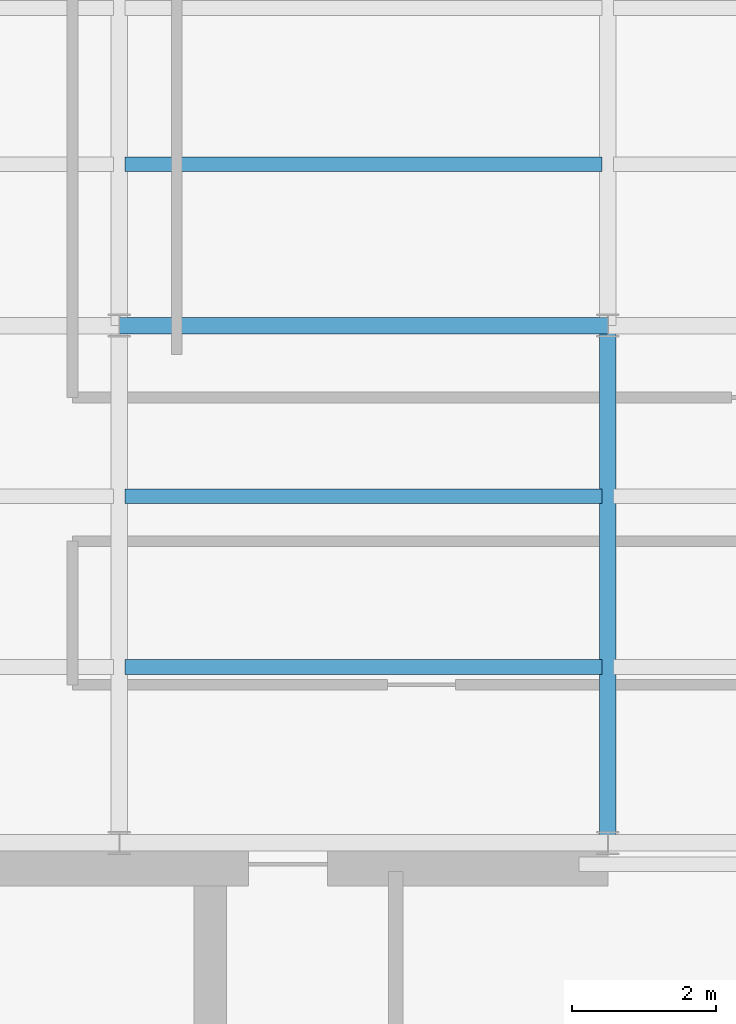
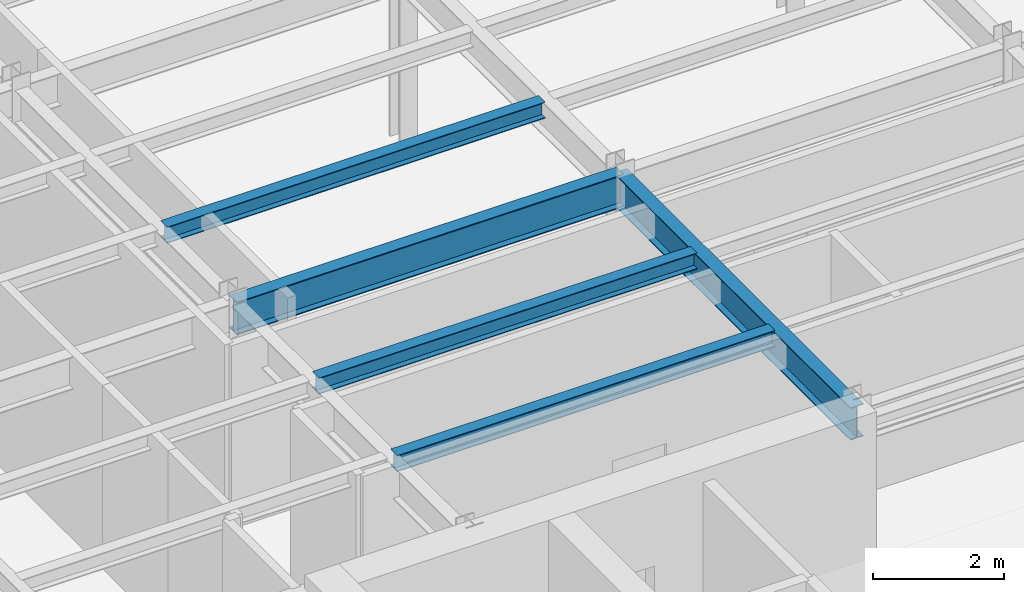
# One storey, part 6 of 22: 5 beams.
"""IFC4 building model written with IfcOpenShell, lengths in metres."""

from ifc_helpers import new_model, si_unit, derived_unit, direction, frame, origin, origin_2d, place, context, subcontext, project, spatial, i_section, extrude, source, transform, mapped, material, material_profile, profile_set, type_object, element, save


model = new_model("IFC4")

# Units and contexts
model_context = context("Model", 3, precision=1e-05, world=origin(), true_north=direction((0.0, 1.0)))
body_context = subcontext(model_context, "Body", "Model", "MODEL_VIEW")
ifc_project = project(units=[si_unit("LENGTHUNIT", "METRE"), si_unit("AREAUNIT", "SQUARE_METRE"), si_unit("VOLUMEUNIT", "CUBIC_METRE"), si_unit("PLANEANGLEUNIT", "RADIAN"), si_unit("MASSUNIT", "GRAM", prefix="KILO"), derived_unit("THERMALTRANSMITTANCEUNIT", [(si_unit("POWERUNIT", "WATT"), 1), (si_unit("LENGTHUNIT", "METRE"), -2), (si_unit("THERMODYNAMICTEMPERATUREUNIT", "KELVIN"), -1)])], contexts=[model_context])

# Site, building, storey
site_placement = place(None, origin())
site = spatial("IfcSite", under=ifc_project, at=site_placement, CompositionType="ELEMENT")
building_placement = place(site_placement, origin())
building = spatial("IfcBuilding", under=site, at=building_placement, Name="Skarnbrae Concourse Arena and Tower", CompositionType="ELEMENT")
storey_placement = place(building_placement, frame((0.0, 0.0, 240.550048828125)))
storey = spatial("IfcBuildingStorey", under=building, at=storey_placement, Name="L62", CompositionType="ELEMENT", Elevation=240.550048828125)

# Beams
ifc_material = material(Name="Steel CSA G40.21 350W", Category="steel")
ifc_material_profile_1 = material_profile(ifc_material, i_section(OverallWidth=0.22802734375, OverallDepth=0.60791015625, WebThickness=0.01123046875, FlangeThickness=0.017333984375, at=origin_2d()), Name="W610X113")
ifc_profile_set_1 = profile_set([ifc_material_profile_1], Name="Steel CSA G40.21 350W")
beam_type_1 = type_object("IfcBeamType", Name="BM-GIRD-W610X113", PredefinedType="BEAM", material=ifc_profile_set_1)
shared_shape_1 = source(origin(), body_context, "Body", "SweptSolid", [
    extrude(i_section(OverallWidth=0.22802734375, OverallDepth=0.60791015625, WebThickness=0.01123046875, FlangeThickness=0.017333984375, at=origin_2d()), origin(), (0.0, 0.0, 1.0), 6.7998046875),
])
beam_1_placement = place(storey_placement, frame((7.60009765625, 21.199951171875, 3.095947265625), z_axis=(1.0, 0.0, 0.0), x_axis=(0.0, 1.0, 0.0)))
element("IfcBeam", 1, at=beam_1_placement, inside=storey, type_object=beam_type_1, Name="L62 Primary E-W girder Y21.2-2", PredefinedType="BEAM", context=body_context, shape_type="MappedRepresentation", body=[
    mapped(shared_shape_1, transform((0.0, 0.0, 0.0))),
])
shared_shape_2 = source(origin(), body_context, "Body", "SweptSolid", [
    extrude(i_section(OverallWidth=0.22802734375, OverallDepth=0.60791015625, WebThickness=0.01123046875, FlangeThickness=0.017333984375, at=origin_2d()), origin(), (0.0, 0.0, 1.0), 7.199951171875),
])
beam_2_placement = place(storey_placement, frame((14.39990234375, 14.0, 3.095947265625), z_axis=(0.0, 1.0, 0.0), x_axis=(-1.0, 0.0, 0.0)))
element("IfcBeam", 2, at=beam_2_placement, inside=storey, type_object=beam_type_1, Name="L62 Primary N-S girder X14.4-1", PredefinedType="BEAM", context=body_context, shape_type="MappedRepresentation", body=[
    mapped(shared_shape_2, transform((0.0, 0.0, 0.0))),
])
ifc_material_profile_2 = material_profile(ifc_material, i_section(OverallWidth=0.202880859375, OverallDepth=0.302978515625, WebThickness=0.007568359375, FlangeThickness=0.01318359375, at=origin_2d()), Name="W310X60")
ifc_profile_set_2 = profile_set([ifc_material_profile_2], Name="Steel CSA G40.21 350W")
beam_type_2 = type_object("IfcBeamType", Name="BM-JOIST-W310X60", PredefinedType="JOIST", material=ifc_profile_set_2)
shared_shape_3 = source(origin(), body_context, "Body", "SweptSolid", [
    extrude(i_section(OverallWidth=0.202880859375, OverallDepth=0.302978515625, WebThickness=0.007568359375, FlangeThickness=0.01318359375, at=origin_2d()), origin(), (0.0, 0.0, 1.0), 6.64013671875),
])
for number, where, z_axis, x_axis, name in (
    (3, (7.679931640625, 16.447998046875, 3.24853515625), (1.0, 0.0, 0.0), (0.0, 1.0, 0.0), "L62 Secondary floor joist 1.1.2"),
    (4, (7.679931640625, 18.823974609375, 3.24853515625), (1.0, 0.0, 0.0), (0.0, 1.0, 0.0), "L62 Secondary floor joist 1.2.2"),
    (5, (7.679931640625, 23.444091796875, 3.24853515625), (1.0, 0.0, 0.0), (0.0, 1.0, 0.0), "L62 Secondary floor joist 2.1.2"),
):
    element("IfcBeam", number, at=place(storey_placement, frame(where, z_axis=z_axis, x_axis=x_axis)), inside=storey, type_object=beam_type_2, Name=name, PredefinedType="JOIST", context=body_context, shape_type="MappedRepresentation", body=[
        mapped(shared_shape_3, transform((0.0, 0.0, 0.0))),
    ])

save(model, "model.ifc")
